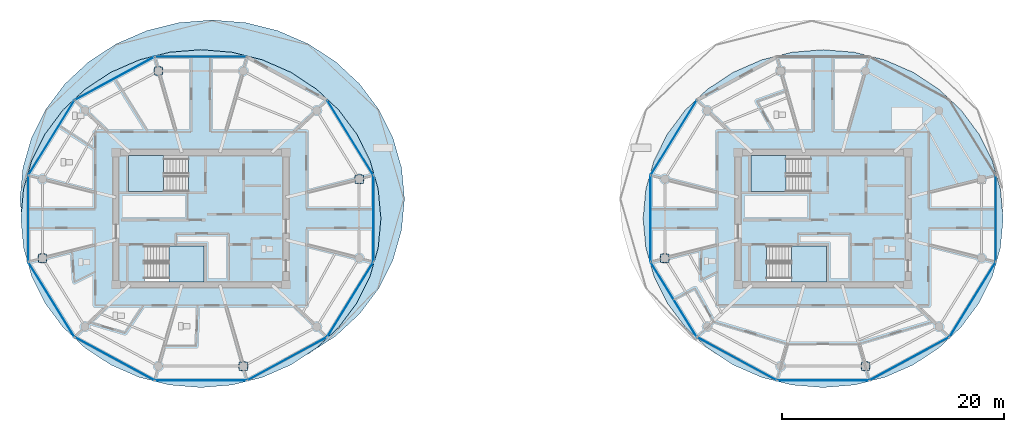
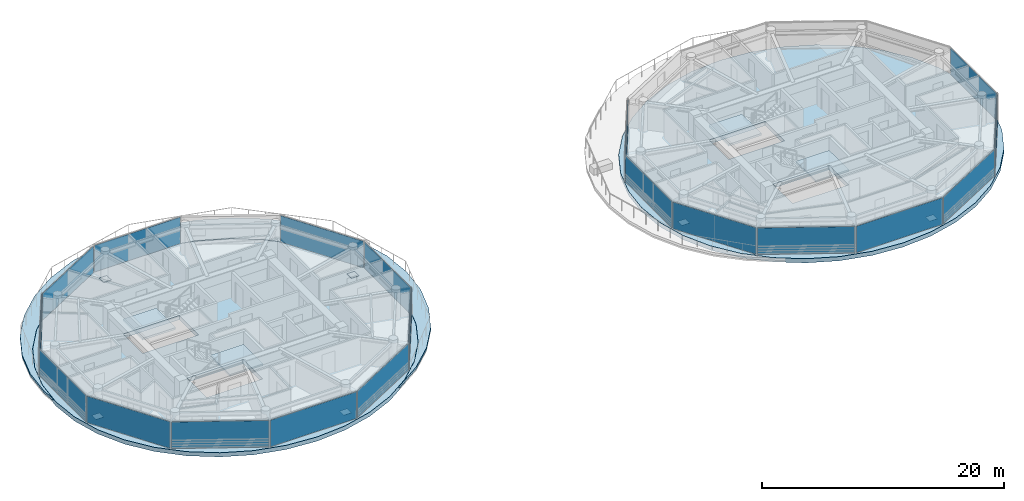
# One storey, part 8 of 28: 25 plates, 7 slabs, 23 elements without a shape of their own.
"""IFC4 building model written with IfcOpenShell, lengths in metres."""

from ifc_helpers import new_model, si_unit, direction, frame, origin, origin_2d, place, context, subcontext, project, spatial, polyline, rectangle, outline, extrude, source, transform, mapped, material, layer, layer_set, type_object, type_shapes, element, aggregate, save


model = new_model("IFC4")

# Units and contexts
model_context = context("Model", 3, precision=1e-05, world=origin(), true_north=direction((0.0, 1.0)))
body_context = subcontext(model_context, "Body", "Model", "MODEL_VIEW")
ifc_project = project(units=[si_unit("LENGTHUNIT", "METRE"), si_unit("AREAUNIT", "SQUARE_METRE"), si_unit("VOLUMEUNIT", "CUBIC_METRE"), si_unit("PLANEANGLEUNIT", "RADIAN"), si_unit("MASSUNIT", "GRAM", prefix="KILO")], contexts=[model_context])

# Site, building, storey
site_placement = place(None, origin())
site = spatial("IfcSite", under=ifc_project, at=site_placement, CompositionType="ELEMENT")
building_placement = place(site_placement, origin())
building = spatial("IfcBuilding", under=site, at=building_placement, Name="Norrkilde Senior Care Towers", CompositionType="ELEMENT")
storey_placement = place(building_placement, frame((0.0, 0.0, 190.64990234375)))
storey = spatial("IfcBuildingStorey", under=building, at=storey_placement, Name="L59", CompositionType="ELEMENT", Elevation=190.64990234375)

# Slab
ifc_material_1 = material(Name="Concrete C45/55", Category="concrete")
ifc_layer_1 = layer(ifc_material_1, 0.22998046875)
ifc_layer_set_1 = layer_set([ifc_layer_1], Name="Concrete C45/55")
slab_type_1 = type_object("IfcSlabType", Name="Cascading Garden Terrace Slab 230", PredefinedType="FLOOR", material=ifc_layer_set_1)
slab_1_placement = place(storey_placement, frame((0.0, 0.0, -0.22998046875)))
element("IfcSlab", 1, at=slab_1_placement, inside=storey, type_object=slab_type_1, Name="L59 Drum W Crescent Sky-Garden Terrace", PredefinedType="FLOOR", context=body_context, shape_type="SweptSolid", body=[
    extrude(outline(polyline([(-44.27490234375, 1.775390625), (-44.01220703125, 4.571044921875), (-43.231689453125, 7.281982421875), (-41.957275390625, 9.825439453125), (-40.2275390625, 12.124267578125), (-38.09521484375, 14.108642578125), (-35.625, 15.71826171875), (-32.891845703125, 16.904296875), (-29.97900390625, 17.630859375), (-26.97509765625, 17.875244140625), (-23.970947265625, 17.630859375), (-21.05810546875, 16.904296875), (-18.324951171875, 15.71826171875), (-15.854736328125, 14.108642578125), (-13.722412109375, 12.124267578125), (-11.99267578125, 9.825439453125), (-10.71826171875, 7.281982421875), (-9.937744140625, 4.571044921875), (-9.675048828125, 1.775390625), (-9.937744140625, -1.020263671875), (-10.71826171875, -3.731201171875), (-11.99267578125, -6.274658203125), (-13.722412109375, -8.573486328125), (-15.854736328125, -10.557861328125), (-18.324951171875, -12.167724609375), (-18.47216796875, -12.2314453125), (-17.583984375, -11.64794921875), (-17.583740234375, -11.647705078125), (-17.58349609375, -11.6474609375), (-15.586669921875, -9.77392578125), (-15.58642578125, -9.773681640625), (-15.586181640625, -9.7734375), (-13.96630859375, -7.60302734375), (-13.966064453125, -7.6025390625), (-13.9658203125, -7.602294921875), (-12.7724609375, -5.200927734375), (-12.772216796875, -5.200439453125), (-12.772216796875, -5.2001953125), (-12.041259765625, -2.640869140625), (-12.041259765625, -2.640380859375), (-12.041015625, -2.639892578125), (-11.794921875, -0.00048828125), (-11.794921875, 0.0), (-11.794921875, 0.00048828125), (-12.041015625, 2.639892578125), (-12.041259765625, 2.640380859375), (-12.041259765625, 2.640869140625), (-12.772216796875, 5.2001953125), (-12.772216796875, 5.200439453125), (-12.7724609375, 5.200927734375), (-13.9658203125, 7.602294921875), (-13.966064453125, 7.6025390625), (-13.96630859375, 7.60302734375), (-15.586181640625, 9.7734375), (-15.58642578125, 9.773681640625), (-15.586669921875, 9.77392578125), (-17.58349609375, 11.6474609375), (-17.583740234375, 11.647705078125), (-17.583984375, 11.64794921875), (-19.897216796875, 13.167724609375), (-19.897705078125, 13.16796875), (-19.89794921875, 13.168212890625), (-22.457275390625, 14.287841796875), (-22.457763671875, 14.2880859375), (-22.4580078125, 14.2880859375), (-25.185791015625, 14.973876953125), (-25.18603515625, 14.97412109375), (-25.1865234375, 14.97412109375), (-27.99951171875, 15.205078125), (-28.0, 15.205078125), (-28.00048828125, 15.205078125), (-30.8134765625, 14.97412109375), (-30.81396484375, 14.97412109375), (-30.814208984375, 14.973876953125), (-33.5419921875, 14.2880859375), (-33.542236328125, 14.2880859375), (-33.542724609375, 14.287841796875), (-36.10205078125, 13.168212890625), (-36.102294921875, 13.16796875), (-36.102783203125, 13.167724609375), (-38.416015625, 11.64794921875), (-38.416259765625, 11.647705078125), (-38.41650390625, 11.6474609375), (-40.413330078125, 9.77392578125), (-40.41357421875, 9.773681640625), (-40.413818359375, 9.7734375), (-42.03369140625, 7.60302734375), (-42.033935546875, 7.6025390625), (-42.0341796875, 7.602294921875), (-43.2275390625, 5.200927734375), (-43.227783203125, 5.200439453125), (-43.227783203125, 5.2001953125), (-43.958740234375, 2.640869140625), (-43.958740234375, 2.640380859375), (-43.958984375, 2.639892578125), (-44.15673828125, 0.517578125), (-44.27490234375, 1.775390625)])), origin(), (0.0, 0.0, 1.0), 0.22998046875),
])

# Stair, slab
stair_type = type_object("IfcStairType", Name="Core Protected Dogleg Stair Typical 3050", PredefinedType="HALF_TURN_STAIR", material=ifc_material_1)
stair_1_placement = place(storey_placement, origin())
stair_1 = element("IfcStair", 2, at=stair_1_placement, inside=storey, type_object=stair_type, Name="L59 Protected Core Stair W1", PredefinedType="HALF_TURN_STAIR")
ifc_layer_2 = layer(ifc_material_1, 0.199951171875)
ifc_layer_set_2 = layer_set([ifc_layer_2], Name="Concrete C45/55")
slab_type_2 = type_object("IfcSlabType", Name="Stair Landing Slab 200", PredefinedType="LANDING", material=ifc_layer_set_2)
slab_2_placement = place(storey_placement, frame((0.0, 0.0, 1.3251953125)))
slab_2 = element("IfcSlab", 3, at=slab_2_placement, type_object=slab_type_2, Name="ST-W1 landing 1", PredefinedType="LANDING", context=body_context, shape_type="SweptSolid", body=[
    extrude(outline(polyline([(-31.340087890625, 5.68994140625), (-34.5, 5.68994140625), (-34.5, 2.449951171875), (-31.340087890625, 2.449951171875), (-31.340087890625, 5.68994140625)])), origin(), (0.0, 0.0, 1.0), 0.199951171875),
])
aggregate(stair_1, [slab_2])

stair_2_placement = place(storey_placement, origin())
stair_2 = element("IfcStair", 4, at=stair_2_placement, inside=storey, type_object=stair_type, Name="L59 Protected Core Stair W2", PredefinedType="HALF_TURN_STAIR")
slab_3_placement = place(storey_placement, frame((0.0, 0.0, 1.3251953125)))
slab_3 = element("IfcSlab", 5, at=slab_3_placement, type_object=slab_type_2, Name="ST-W2 landing 1", PredefinedType="LANDING", context=body_context, shape_type="SweptSolid", body=[
    extrude(outline(polyline([(-30.860107421875, -5.68994140625), (-27.699951171875, -5.68994140625), (-27.699951171875, -2.449951171875), (-30.860107421875, -2.449951171875), (-30.860107421875, -5.68994140625)])), origin(), (0.0, 0.0, 1.0), 0.199951171875),
])
aggregate(stair_2, [slab_3])

stair_3_placement = place(storey_placement, origin())
stair_3 = element("IfcStair", 6, at=stair_3_placement, inside=storey, type_object=stair_type, Name="L59 Protected Core Stair E1", PredefinedType="HALF_TURN_STAIR")
slab_4_placement = place(storey_placement, frame((0.0, 0.0, 1.3251953125)))
slab_4 = element("IfcSlab", 7, at=slab_4_placement, type_object=slab_type_2, Name="ST-E1 landing 1", PredefinedType="LANDING", context=body_context, shape_type="SweptSolid", body=[
    extrude(outline(polyline([(24.659912109375, 5.68994140625), (21.5, 5.68994140625), (21.5, 2.449951171875), (24.659912109375, 2.449951171875), (24.659912109375, 5.68994140625)])), origin(), (0.0, 0.0, 1.0), 0.199951171875),
])
aggregate(stair_3, [slab_4])

stair_4_placement = place(storey_placement, origin())
stair_4 = element("IfcStair", 8, at=stair_4_placement, inside=storey, type_object=stair_type, Name="L59 Protected Core Stair E2", PredefinedType="HALF_TURN_STAIR")
slab_5_placement = place(storey_placement, frame((0.0, 0.0, 1.3251953125)))
slab_5 = element("IfcSlab", 9, at=slab_5_placement, type_object=slab_type_2, Name="ST-E2 landing 1", PredefinedType="LANDING", context=body_context, shape_type="SweptSolid", body=[
    extrude(outline(polyline([(25.139892578125, -5.68994140625), (28.300048828125, -5.68994140625), (28.300048828125, -2.449951171875), (25.139892578125, -2.449951171875), (25.139892578125, -5.68994140625)])), origin(), (0.0, 0.0, 1.0), 0.199951171875),
])
aggregate(stair_4, [slab_5])

# Slabs
ifc_material_2 = material(Name="Concrete C60/75", Category="concrete")
ifc_layer_3 = layer(ifc_material_2, 0.419921875)
ifc_layer_set_3 = layer_set([ifc_layer_3], Name="Concrete C60/75")
slab_type_3 = type_object("IfcSlabType", Name="Transfer Deck Slab 420", PredefinedType="FLOOR", material=ifc_layer_set_3)
slab_6_placement = place(storey_placement, frame((0.0, 0.0, -0.419921875)))
element("IfcSlab", 10, at=slab_6_placement, inside=storey, type_object=slab_type_3, Name="L59 Drum W Structural Floor Slab", PredefinedType="FLOOR", context=body_context, shape_type="SweptSolid", body=[
    extrude(outline(polyline([(-12.777099609375, -5.19873046875), (-13.970458984375, -7.60009765625), (-15.590087890625, -9.770263671875), (-17.5869140625, -11.643798828125), (-19.89990234375, -13.16357421875), (-22.459228515625, -14.283447265625), (-25.18701171875, -14.968994140625), (-28.0, -15.199951171875), (-30.81298828125, -14.968994140625), (-33.540771484375, -14.283447265625), (-36.10009765625, -13.16357421875), (-38.4130859375, -11.643798828125), (-40.409912109375, -9.770263671875), (-42.029541015625, -7.60009765625), (-43.222900390625, -5.19873046875), (-43.953857421875, -2.639404296875), (-44.199951171875, 0.0), (-43.953857421875, 2.639404296875), (-43.222900390625, 5.19873046875), (-42.029541015625, 7.60009765625), (-40.409912109375, 9.770263671875), (-38.4130859375, 11.643798828125), (-36.10009765625, 13.16357421875), (-33.540771484375, 14.283447265625), (-30.81298828125, 14.968994140625), (-28.0, 15.199951171875), (-25.18701171875, 14.968994140625), (-22.459228515625, 14.283447265625), (-19.89990234375, 13.16357421875), (-17.5869140625, 11.643798828125), (-15.590087890625, 9.770263671875), (-13.970458984375, 7.60009765625), (-12.777099609375, 5.19873046875), (-12.046142578125, 2.639404296875), (-11.800048828125, 0.0), (-12.046142578125, -2.639404296875), (-12.777099609375, -5.19873046875)]), holes=[polyline([(-34.48193359375, 2.468017578125), (-29.117919921875, 2.468017578125), (-29.117919921875, 5.68994140625), (-34.48193359375, 5.68994140625), (-34.48193359375, 2.468017578125)]), polyline([(-27.718017578125, -5.68994140625), (-27.718017578125, -2.468017578125), (-33.08203125, -2.468017578125), (-33.08203125, -5.68994140625), (-27.718017578125, -5.68994140625)])]), origin(), (0.0, 0.0, 1.0), 0.419921875),
])
slab_7_placement = place(storey_placement, frame((0.0, 0.0, -0.419921875)))
element("IfcSlab", 11, at=slab_7_placement, inside=storey, type_object=slab_type_3, Name="L59 Drum E Structural Floor Slab", PredefinedType="FLOOR", context=body_context, shape_type="SweptSolid", body=[
    extrude(outline(polyline([(43.222900390625, -5.19873046875), (42.029541015625, -7.60009765625), (40.409912109375, -9.770263671875), (38.4130859375, -11.643798828125), (36.10009765625, -13.16357421875), (33.540771484375, -14.283447265625), (30.81298828125, -14.968994140625), (28.0, -15.199951171875), (25.18701171875, -14.968994140625), (22.459228515625, -14.283447265625), (19.89990234375, -13.16357421875), (17.5869140625, -11.643798828125), (15.590087890625, -9.770263671875), (13.970458984375, -7.60009765625), (12.777099609375, -5.19873046875), (12.046142578125, -2.639404296875), (11.800048828125, 0.0), (12.046142578125, 2.639404296875), (12.777099609375, 5.19873046875), (13.970458984375, 7.60009765625), (15.590087890625, 9.770263671875), (17.5869140625, 11.643798828125), (19.89990234375, 13.16357421875), (22.459228515625, 14.283447265625), (25.18701171875, 14.968994140625), (28.0, 15.199951171875), (30.81298828125, 14.968994140625), (33.540771484375, 14.283447265625), (36.10009765625, 13.16357421875), (38.4130859375, 11.643798828125), (40.409912109375, 9.770263671875), (42.029541015625, 7.60009765625), (43.222900390625, 5.19873046875), (43.953857421875, 2.639404296875), (44.199951171875, 0.0), (43.953857421875, -2.639404296875), (43.222900390625, -5.19873046875)]), holes=[polyline([(21.51806640625, 2.468017578125), (26.882080078125, 2.468017578125), (26.882080078125, 5.68994140625), (21.51806640625, 5.68994140625), (21.51806640625, 2.468017578125)]), polyline([(28.281982421875, -5.68994140625), (28.281982421875, -2.468017578125), (22.91796875, -2.468017578125), (22.91796875, -5.68994140625), (28.281982421875, -5.68994140625)])]), origin(), (0.0, 0.0, 1.0), 0.419921875),
])

# Plates
ifc_material_3 = material(Name="Steel S355", Category="steel")
ifc_layer_4 = layer(ifc_material_3, 0.030029296875)
ifc_layer_set_4 = layer_set([ifc_layer_4], Name="Steel S355")
plate_type_1 = type_object("IfcPlateType", Name="Column Splice Flange Plate 30", PredefinedType="USERDEFINED", material=ifc_layer_set_4)
shared_shape_1 = source(origin(), body_context, "Body", "SweptSolid", [
    extrude(rectangle(XDim=0.75, YDim=0.75, at=origin_2d()), origin(), (0.0, 0.0, 1.0), 0.030029296875),
])
type_shapes(plate_type_1, [shared_shape_1])
for number, where, z_axis, x_axis, name in (
    (12, (-13.752685546875, 3.558837890625, 0.0), (0.0, 0.0, 1.0), (1.0, 0.0, 0.0), "L59 Column W-01 Splice Flange Plate"),
    (13, (-31.817626953125, 13.281494140625, 0.0), (0.0, 0.0, 1.0), (1.0, 0.0, 0.0), "L59 Column W-04 Splice Flange Plate"),
    (14, (-42.247314453125, -3.558837890625, 0.0), (0.0, 0.0, 1.0), (1.0, 0.0, 0.0), "L59 Column W-07 Splice Flange Plate"),
    (15, (-24.182373046875, -13.281494140625, 0.0), (0.0, 0.0, 1.0), (1.0, 0.0, 0.0), "L59 Column W-10 Splice Flange Plate"),
    (16, (13.752685546875, -3.558837890625, 0.0), (0.0, 0.0, 1.0), (1.0, 0.0, 0.0), "L59 Column E-07 Splice Flange Plate"),
    (17, (31.817626953125, -13.281494140625, 0.0), (0.0, 0.0, 1.0), (1.0, 0.0, 0.0), "L59 Column E-10 Splice Flange Plate"),
):
    element("IfcPlate", number, at=place(storey_placement, frame(where, z_axis=z_axis, x_axis=x_axis)), inside=storey, type_object=plate_type_1, Name=name, ObjectType="FLANGE_PLATE", PredefinedType="USERDEFINED", context=body_context, shape_type="MappedRepresentation", body=[
        mapped(shared_shape_1, transform((0.0, 0.0, 0.0), x_axis=(1.0, 0.0, 0.0), y_axis=(0.0, 1.0, 0.0), z_axis=(0.0, 0.0, 1.0), scale=1.0)),
    ])

# Curtain wall, plate
ifc_material_4 = material(Name="Triple Low-E Insulated Glazing", Category="glass")
ifc_layer_5 = layer(ifc_material_4, 0.18505859375)
ifc_layer_set_5 = layer_set([ifc_layer_5], Name="Triple Low-E Insulated Glazing")
curtain_wall_type = type_object("IfcCurtainWallType", Name="CW6 Zone 4 Crown Pavilion Curtain Wall", PredefinedType="NOTDEFINED", material=ifc_layer_set_5)
curtain_wall_1_placement = place(storey_placement, origin())
curtain_wall_1 = element("IfcCurtainWall", 18, at=curtain_wall_1_placement, inside=storey, type_object=curtain_wall_type, Name="L59 Drum W Curtain Wall 00", PredefinedType="NOTDEFINED")
ifc_layer_6 = layer(ifc_material_4, 0.035888671875)
ifc_layer_set_6 = layer_set([ifc_layer_6], Name="Triple Low-E Insulated Glazing")
plate_type_2 = type_object("IfcPlateType", Name="Triple Low-E Vision Curtain Panel 36", PredefinedType="CURTAIN_PANEL", material=ifc_layer_set_6)
shared_shape_2 = source(origin(), body_context, "Body", "SweptSolid", [
    extrude(rectangle(XDim=7.80859375, YDim=0.035888671875, at=origin_2d()), origin(), (0.0, 0.0, 1.0), 2.68994140625),
])
plate_1_placement = place(storey_placement, frame((-14.548828125, 7.282958984375, 0.06005859375), z_axis=(0.0, 0.0, 1.0), x_axis=(0.524252726748, -0.851562727283, 0.0)))
plate_1 = element("IfcPlate", 19, at=plate_1_placement, type_object=plate_type_2, Name="CW-6 panel 1.1", PredefinedType="CURTAIN_PANEL", context=body_context, shape_type="MappedRepresentation", body=[
    mapped(shared_shape_2, transform((0.0, 0.0, 0.0), x_axis=(1.0, 0.0, 0.0), y_axis=(0.0, 1.0, 0.0), z_axis=(0.0, 0.0, 1.0), scale=1.0)),
])
aggregate(curtain_wall_1, [plate_1])

curtain_wall_2_placement = place(storey_placement, origin())
curtain_wall_2 = element("IfcCurtainWall", 20, at=curtain_wall_2_placement, inside=storey, type_object=curtain_wall_type, Name="L59 Drum W Curtain Wall 04", PredefinedType="NOTDEFINED")
plate_2_placement = place(storey_placement, frame((-41.451171875, 7.282958984375, 0.06005859375), z_axis=(0.0, 0.0, 1.0), x_axis=(0.524252726748, 0.851562727283, 0.0)))
plate_2 = element("IfcPlate", 21, at=plate_2_placement, type_object=plate_type_2, Name="CW-6 panel 1.1", PredefinedType="CURTAIN_PANEL", context=body_context, shape_type="MappedRepresentation", body=[
    mapped(shared_shape_2, transform((0.0, 0.0, 0.0), x_axis=(1.0, 0.0, 0.0), y_axis=(0.0, 1.0, 0.0), z_axis=(0.0, 0.0, 1.0), scale=1.0)),
])
aggregate(curtain_wall_2, [plate_2])

curtain_wall_3_placement = place(storey_placement, origin())
curtain_wall_3 = element("IfcCurtainWall", 22, at=curtain_wall_3_placement, inside=storey, type_object=curtain_wall_type, Name="L59 Drum W Curtain Wall 06", PredefinedType="NOTDEFINED")
plate_3_placement = place(storey_placement, frame((-41.451171875, -7.282958984375, 0.06005859375), z_axis=(0.0, 0.0, 1.0), x_axis=(-0.524252726748, 0.851562727283, 0.0)))
plate_3 = element("IfcPlate", 23, at=plate_3_placement, type_object=plate_type_2, Name="CW-6 panel 1.1", PredefinedType="CURTAIN_PANEL", context=body_context, shape_type="MappedRepresentation", body=[
    mapped(shared_shape_2, transform((0.0, 0.0, 0.0), x_axis=(1.0, 0.0, 0.0), y_axis=(0.0, 1.0, 0.0), z_axis=(0.0, 0.0, 1.0), scale=1.0)),
])
aggregate(curtain_wall_3, [plate_3])

curtain_wall_4_placement = place(storey_placement, origin())
curtain_wall_4 = element("IfcCurtainWall", 24, at=curtain_wall_4_placement, inside=storey, type_object=curtain_wall_type, Name="L59 Drum W Curtain Wall 10", PredefinedType="NOTDEFINED")
plate_4_placement = place(storey_placement, frame((-14.548828125, -7.282958984375, 0.06005859375), z_axis=(0.0, 0.0, 1.0), x_axis=(-0.524252726748, -0.851562727283, 0.0)))
plate_4 = element("IfcPlate", 25, at=plate_4_placement, type_object=plate_type_2, Name="CW-6 panel 1.1", PredefinedType="CURTAIN_PANEL", context=body_context, shape_type="MappedRepresentation", body=[
    mapped(shared_shape_2, transform((0.0, 0.0, 0.0), x_axis=(1.0, 0.0, 0.0), y_axis=(0.0, 1.0, 0.0), z_axis=(0.0, 0.0, 1.0), scale=1.0)),
])
aggregate(curtain_wall_4, [plate_4])

curtain_wall_5_placement = place(storey_placement, origin())
curtain_wall_5 = element("IfcCurtainWall", 26, at=curtain_wall_5_placement, inside=storey, type_object=curtain_wall_type, Name="L59 Drum E Curtain Wall 04", PredefinedType="NOTDEFINED")
plate_5_placement = place(storey_placement, frame((14.548828125, 7.282958984375, 0.06005859375), z_axis=(0.0, 0.0, 1.0), x_axis=(0.524252726748, 0.851562727283, 0.0)))
plate_5 = element("IfcPlate", 27, at=plate_5_placement, type_object=plate_type_2, Name="CW-6 panel 1.1", PredefinedType="CURTAIN_PANEL", context=body_context, shape_type="MappedRepresentation", body=[
    mapped(shared_shape_2, transform((0.0, 0.0, 0.0), x_axis=(1.0, 0.0, 0.0), y_axis=(0.0, 1.0, 0.0), z_axis=(0.0, 0.0, 1.0), scale=1.0)),
])
aggregate(curtain_wall_5, [plate_5])

curtain_wall_6_placement = place(storey_placement, origin())
curtain_wall_6 = element("IfcCurtainWall", 28, at=curtain_wall_6_placement, inside=storey, type_object=curtain_wall_type, Name="L59 Drum E Curtain Wall 06", PredefinedType="NOTDEFINED")
plate_6_placement = place(storey_placement, frame((14.548828125, -7.282958984375, 0.06005859375), z_axis=(0.0, 0.0, 1.0), x_axis=(-0.524252726748, 0.851562727283, 0.0)))
plate_6 = element("IfcPlate", 29, at=plate_6_placement, type_object=plate_type_2, Name="CW-6 panel 1.1", PredefinedType="CURTAIN_PANEL", context=body_context, shape_type="MappedRepresentation", body=[
    mapped(shared_shape_2, transform((0.0, 0.0, 0.0), x_axis=(1.0, 0.0, 0.0), y_axis=(0.0, 1.0, 0.0), z_axis=(0.0, 0.0, 1.0), scale=1.0)),
])
aggregate(curtain_wall_6, [plate_6])

curtain_wall_7_placement = place(storey_placement, origin())
curtain_wall_7 = element("IfcCurtainWall", 30, at=curtain_wall_7_placement, inside=storey, type_object=curtain_wall_type, Name="L59 Drum E Curtain Wall 10", PredefinedType="NOTDEFINED")
plate_7_placement = place(storey_placement, frame((41.451171875, -7.282958984375, 0.06005859375), z_axis=(0.0, 0.0, 1.0), x_axis=(-0.524252726748, -0.851562727283, 0.0)))
plate_7 = element("IfcPlate", 31, at=plate_7_placement, type_object=plate_type_2, Name="CW-6 panel 1.1", PredefinedType="CURTAIN_PANEL", context=body_context, shape_type="MappedRepresentation", body=[
    mapped(shared_shape_2, transform((0.0, 0.0, 0.0), x_axis=(1.0, 0.0, 0.0), y_axis=(0.0, 1.0, 0.0), z_axis=(0.0, 0.0, 1.0), scale=1.0)),
])
aggregate(curtain_wall_7, [plate_7])

curtain_wall_8_placement = place(storey_placement, origin())
curtain_wall_8 = element("IfcCurtainWall", 32, at=curtain_wall_8_placement, inside=storey, type_object=curtain_wall_type, Name="L59 Drum W Curtain Wall 02", PredefinedType="NOTDEFINED")
shared_shape_3 = source(origin(), body_context, "Body", "SweptSolid", [
    extrude(rectangle(XDim=8.193603515625, YDim=0.035888671875, at=origin_2d()), origin(), (0.0, 0.0, 1.0), 2.68994140625),
])
plate_8_placement = place(storey_placement, frame((-28.0, 14.566162109375, 0.06005859375), z_axis=(0.0, 0.0, 1.0), x_axis=(1.0, 0.0, 0.0)))
plate_8 = element("IfcPlate", 33, at=plate_8_placement, type_object=plate_type_2, Name="CW-6 panel 1.1", PredefinedType="CURTAIN_PANEL", context=body_context, shape_type="MappedRepresentation", body=[
    mapped(shared_shape_3, transform((0.0, 0.0, 0.0), x_axis=(1.0, 0.0, 0.0), y_axis=(0.0, 1.0, 0.0), z_axis=(0.0, 0.0, 1.0), scale=1.0)),
])
aggregate(curtain_wall_8, [plate_8])

curtain_wall_9_placement = place(storey_placement, origin())
curtain_wall_9 = element("IfcCurtainWall", 34, at=curtain_wall_9_placement, inside=storey, type_object=curtain_wall_type, Name="L59 Drum W Curtain Wall 08", PredefinedType="NOTDEFINED")
plate_9_placement = place(storey_placement, frame((-28.0, -14.566162109375, 0.06005859375), z_axis=(0.0, 0.0, 1.0), x_axis=(-1.0, 0.0, 0.0)))
plate_9 = element("IfcPlate", 35, at=plate_9_placement, type_object=plate_type_2, Name="CW-6 panel 1.1", PredefinedType="CURTAIN_PANEL", context=body_context, shape_type="MappedRepresentation", body=[
    mapped(shared_shape_3, transform((0.0, 0.0, 0.0), x_axis=(1.0, 0.0, 0.0), y_axis=(0.0, 1.0, 0.0), z_axis=(0.0, 0.0, 1.0), scale=1.0)),
])
aggregate(curtain_wall_9, [plate_9])

curtain_wall_10_placement = place(storey_placement, origin())
curtain_wall_10 = element("IfcCurtainWall", 36, at=curtain_wall_10_placement, inside=storey, type_object=curtain_wall_type, Name="L59 Drum E Curtain Wall 08", PredefinedType="NOTDEFINED")
plate_10_placement = place(storey_placement, frame((28.0, -14.566162109375, 0.06005859375), z_axis=(0.0, 0.0, 1.0), x_axis=(-1.0, 0.0, 0.0)))
plate_10 = element("IfcPlate", 37, at=plate_10_placement, type_object=plate_type_2, Name="CW-6 panel 1.1", PredefinedType="CURTAIN_PANEL", context=body_context, shape_type="MappedRepresentation", body=[
    mapped(shared_shape_3, transform((0.0, 0.0, 0.0), x_axis=(1.0, 0.0, 0.0), y_axis=(0.0, 1.0, 0.0), z_axis=(0.0, 0.0, 1.0), scale=1.0)),
])
aggregate(curtain_wall_10, [plate_10])

curtain_wall_11_placement = place(storey_placement, origin())
curtain_wall_11 = element("IfcCurtainWall", 38, at=curtain_wall_11_placement, inside=storey, type_object=curtain_wall_type, Name="L59 Drum W Curtain Wall 03", PredefinedType="NOTDEFINED")
shared_shape_4 = source(origin(), body_context, "Body", "SweptSolid", [
    extrude(rectangle(XDim=8.0673828125, YDim=0.035888671875, at=origin_2d()), origin(), (0.0, 0.0, 1.0), 2.68994140625),
])
plate_11_placement = place(storey_placement, frame((-35.76611328125, 12.61474609375, 0.06005859375), z_axis=(0.0, 0.0, 1.0), x_axis=(0.879373455772, 0.476132676136, 0.0)))
plate_11 = element("IfcPlate", 39, at=plate_11_placement, type_object=plate_type_2, Name="CW-6 panel 1.1", PredefinedType="CURTAIN_PANEL", context=body_context, shape_type="MappedRepresentation", body=[
    mapped(shared_shape_4, transform((0.0, 0.0, 0.0), x_axis=(1.0, 0.0, 0.0), y_axis=(0.0, 1.0, 0.0), z_axis=(0.0, 0.0, 1.0), scale=1.0)),
])
aggregate(curtain_wall_11, [plate_11])

curtain_wall_12_placement = place(storey_placement, origin())
curtain_wall_12 = element("IfcCurtainWall", 40, at=curtain_wall_12_placement, inside=storey, type_object=curtain_wall_type, Name="L59 Drum W Curtain Wall 07", PredefinedType="NOTDEFINED")
plate_12_placement = place(storey_placement, frame((-35.76611328125, -12.61474609375, 0.06005859375), z_axis=(0.0, 0.0, 1.0), x_axis=(-0.879373455772, 0.476132676136, 0.0)))
plate_12 = element("IfcPlate", 41, at=plate_12_placement, type_object=plate_type_2, Name="CW-6 panel 1.1", PredefinedType="CURTAIN_PANEL", context=body_context, shape_type="MappedRepresentation", body=[
    mapped(shared_shape_4, transform((0.0, 0.0, 0.0), x_axis=(1.0, 0.0, 0.0), y_axis=(0.0, 1.0, 0.0), z_axis=(0.0, 0.0, 1.0), scale=1.0)),
])
aggregate(curtain_wall_12, [plate_12])

curtain_wall_13_placement = place(storey_placement, origin())
curtain_wall_13 = element("IfcCurtainWall", 42, at=curtain_wall_13_placement, inside=storey, type_object=curtain_wall_type, Name="L59 Drum W Curtain Wall 09", PredefinedType="NOTDEFINED")
plate_13_placement = place(storey_placement, frame((-20.23388671875, -12.61474609375, 0.06005859375), z_axis=(0.0, 0.0, 1.0), x_axis=(-0.879373455772, -0.476132676136, 0.0)))
plate_13 = element("IfcPlate", 43, at=plate_13_placement, type_object=plate_type_2, Name="CW-6 panel 1.1", PredefinedType="CURTAIN_PANEL", context=body_context, shape_type="MappedRepresentation", body=[
    mapped(shared_shape_4, transform((0.0, 0.0, 0.0), x_axis=(1.0, 0.0, 0.0), y_axis=(0.0, 1.0, 0.0), z_axis=(0.0, 0.0, 1.0), scale=1.0)),
])
aggregate(curtain_wall_13, [plate_13])

curtain_wall_14_placement = place(storey_placement, origin())
curtain_wall_14 = element("IfcCurtainWall", 44, at=curtain_wall_14_placement, inside=storey, type_object=curtain_wall_type, Name="L59 Drum E Curtain Wall 07", PredefinedType="NOTDEFINED")
plate_14_placement = place(storey_placement, frame((20.23388671875, -12.61474609375, 0.06005859375), z_axis=(0.0, 0.0, 1.0), x_axis=(-0.879373455772, 0.476132676136, 0.0)))
plate_14 = element("IfcPlate", 45, at=plate_14_placement, type_object=plate_type_2, Name="CW-6 panel 1.1", PredefinedType="CURTAIN_PANEL", context=body_context, shape_type="MappedRepresentation", body=[
    mapped(shared_shape_4, transform((0.0, 0.0, 0.0), x_axis=(1.0, 0.0, 0.0), y_axis=(0.0, 1.0, 0.0), z_axis=(0.0, 0.0, 1.0), scale=1.0)),
])
aggregate(curtain_wall_14, [plate_14])

curtain_wall_15_placement = place(storey_placement, origin())
curtain_wall_15 = element("IfcCurtainWall", 46, at=curtain_wall_15_placement, inside=storey, type_object=curtain_wall_type, Name="L59 Drum E Curtain Wall 09", PredefinedType="NOTDEFINED")
plate_15_placement = place(storey_placement, frame((35.76611328125, -12.61474609375, 0.06005859375), z_axis=(0.0, 0.0, 1.0), x_axis=(-0.879373455772, -0.476132676136, 0.0)))
plate_15 = element("IfcPlate", 47, at=plate_15_placement, type_object=plate_type_2, Name="CW-6 panel 1.1", PredefinedType="CURTAIN_PANEL", context=body_context, shape_type="MappedRepresentation", body=[
    mapped(shared_shape_4, transform((0.0, 0.0, 0.0), x_axis=(1.0, 0.0, 0.0), y_axis=(0.0, 1.0, 0.0), z_axis=(0.0, 0.0, 1.0), scale=1.0)),
])
aggregate(curtain_wall_15, [plate_15])

curtain_wall_16_placement = place(storey_placement, origin())
curtain_wall_16 = element("IfcCurtainWall", 48, at=curtain_wall_16_placement, inside=storey, type_object=curtain_wall_type, Name="L59 Drum W Curtain Wall 05", PredefinedType="NOTDEFINED")
shared_shape_5 = source(origin(), body_context, "Body", "SweptSolid", [
    extrude(rectangle(XDim=7.676025390625, YDim=0.035888671875, at=origin_2d()), origin(), (0.0, 0.0, 1.0), 2.68994140625),
])
type_shapes(plate_type_2, [shared_shape_2, shared_shape_3, shared_shape_4, shared_shape_5])
plate_16_placement = place(storey_placement, frame((-43.531982421875, 0.0, 0.06005859375), z_axis=(0.0, 0.0, 1.0), x_axis=(0.0, 1.0, 0.0)))
plate_16 = element("IfcPlate", 49, at=plate_16_placement, type_object=plate_type_2, Name="CW-6 panel 1.1", PredefinedType="CURTAIN_PANEL", context=body_context, shape_type="MappedRepresentation", body=[
    mapped(shared_shape_5, transform((0.0, 0.0, 0.0), x_axis=(1.0, 0.0, 0.0), y_axis=(0.0, 1.0, 0.0), z_axis=(0.0, 0.0, 1.0), scale=1.0)),
])
aggregate(curtain_wall_16, [plate_16])

curtain_wall_17_placement = place(storey_placement, origin())
curtain_wall_17 = element("IfcCurtainWall", 50, at=curtain_wall_17_placement, inside=storey, type_object=curtain_wall_type, Name="L59 Drum W Curtain Wall 11", PredefinedType="NOTDEFINED")
plate_17_placement = place(storey_placement, frame((-12.468017578125, 0.0, 0.06005859375), z_axis=(0.0, 0.0, 1.0), x_axis=(0.0, -1.0, 0.0)))
plate_17 = element("IfcPlate", 51, at=plate_17_placement, type_object=plate_type_2, Name="CW-6 panel 1.1", PredefinedType="CURTAIN_PANEL", context=body_context, shape_type="MappedRepresentation", body=[
    mapped(shared_shape_5, transform((0.0, 0.0, 0.0), x_axis=(1.0, 0.0, 0.0), y_axis=(0.0, 1.0, 0.0), z_axis=(0.0, 0.0, 1.0), scale=1.0)),
])
aggregate(curtain_wall_17, [plate_17])

curtain_wall_18_placement = place(storey_placement, origin())
curtain_wall_18 = element("IfcCurtainWall", 52, at=curtain_wall_18_placement, inside=storey, type_object=curtain_wall_type, Name="L59 Drum E Curtain Wall 05", PredefinedType="NOTDEFINED")
plate_18_placement = place(storey_placement, frame((12.468017578125, 0.0, 0.06005859375), z_axis=(0.0, 0.0, 1.0), x_axis=(0.0, 1.0, 0.0)))
plate_18 = element("IfcPlate", 53, at=plate_18_placement, type_object=plate_type_2, Name="CW-6 panel 1.1", PredefinedType="CURTAIN_PANEL", context=body_context, shape_type="MappedRepresentation", body=[
    mapped(shared_shape_5, transform((0.0, 0.0, 0.0), x_axis=(1.0, 0.0, 0.0), y_axis=(0.0, 1.0, 0.0), z_axis=(0.0, 0.0, 1.0), scale=1.0)),
])
aggregate(curtain_wall_18, [plate_18])

curtain_wall_19_placement = place(storey_placement, origin())
curtain_wall_19 = element("IfcCurtainWall", 54, at=curtain_wall_19_placement, inside=storey, type_object=curtain_wall_type, Name="L59 Drum E Curtain Wall 11", PredefinedType="NOTDEFINED")
plate_19_placement = place(storey_placement, frame((43.531982421875, 0.0, 0.06005859375), z_axis=(0.0, 0.0, 1.0), x_axis=(0.0, -1.0, 0.0)))
plate_19 = element("IfcPlate", 55, at=plate_19_placement, type_object=plate_type_2, Name="CW-6 panel 1.1", PredefinedType="CURTAIN_PANEL", context=body_context, shape_type="MappedRepresentation", body=[
    mapped(shared_shape_5, transform((0.0, 0.0, 0.0), x_axis=(1.0, 0.0, 0.0), y_axis=(0.0, 1.0, 0.0), z_axis=(0.0, 0.0, 1.0), scale=1.0)),
])
aggregate(curtain_wall_19, [plate_19])

save(model, "model.ifc")
